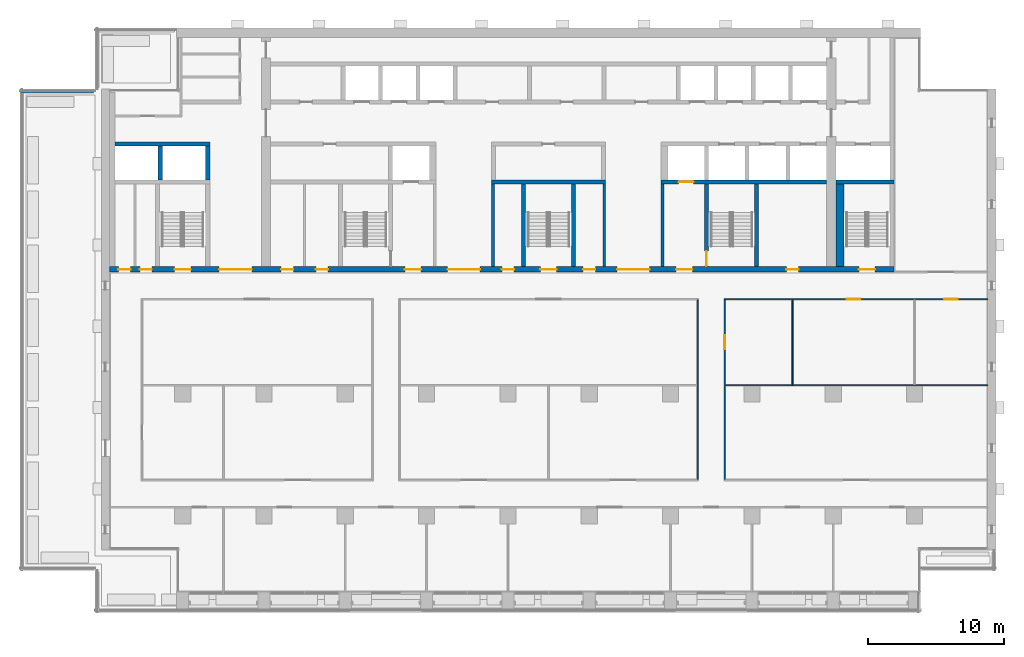
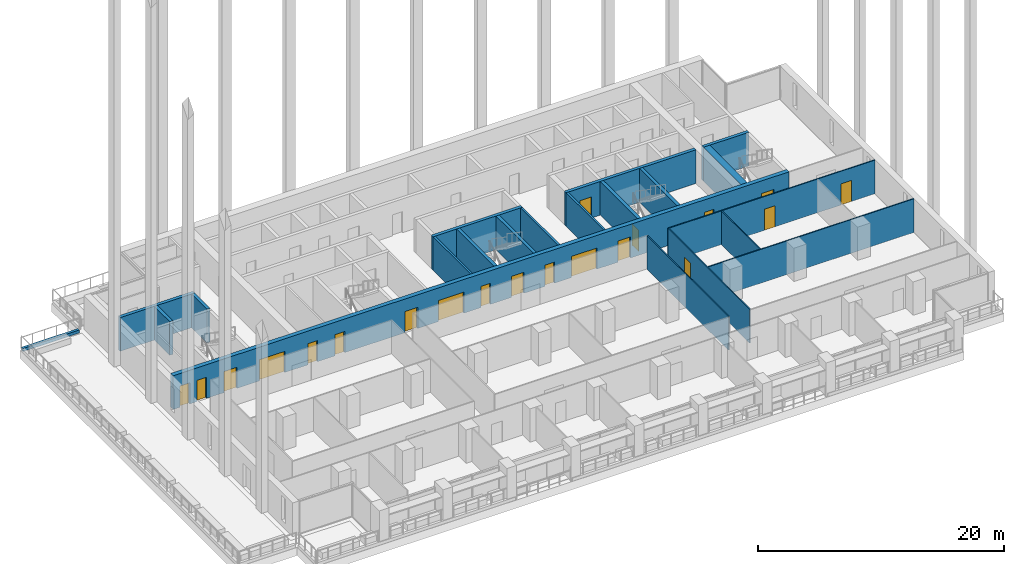
# One storey, part 10 of 19: 21 walls, 20 doors, 20 openings.
"""IFC4 building model written with IfcOpenShell, lengths in metres."""

from ifc_helpers import new_model, si_unit, direction, frame, frame_2d, origin, place, context, subcontext, project, spatial, rectangle, extrude, material, layer, layer_set, type_object, element, fill, save


model = new_model("IFC4")

# Units and contexts
model_context = context("Model", 3, precision=1e-05, world=origin(), true_north=direction((0.0, 1.0)))
body_context = subcontext(model_context, "Body", "Model", "MODEL_VIEW")
ifc_project = project(units=[si_unit("LENGTHUNIT", "METRE"), si_unit("AREAUNIT", "SQUARE_METRE"), si_unit("VOLUMEUNIT", "CUBIC_METRE"), si_unit("PLANEANGLEUNIT", "RADIAN"), si_unit("MASSUNIT", "GRAM", prefix="KILO")], contexts=[model_context])

# Site, building, storey
site_placement = place(None, origin())
site = spatial("IfcSite", under=ifc_project, at=site_placement, CompositionType="ELEMENT")
building_placement = place(site_placement, origin())
building = spatial("IfcBuilding", under=site, at=building_placement, Name="Calvaro Tower", CompositionType="ELEMENT")
storey_placement = place(building_placement, frame((0.0, 0.0, 166.75)))
storey = spatial("IfcBuildingStorey", under=building, at=storey_placement, Name="L41", CompositionType="ELEMENT", Elevation=166.75)

# Walls
ifc_material_1 = material(Name="Blockwork partition", Category="masonry")
ifc_layer_1 = layer(ifc_material_1, 0.199951171875)
ifc_layer_set_1 = layer_set([ifc_layer_1], Name="Blockwork partition")
wall_type_1 = type_object("IfcWallType", Name="Core partition 200 REI 120", PredefinedType="PARTITIONING", material=ifc_layer_set_1)
for number, where, z_axis, x_axis, name in (
    (1, (34.89990234375, 28.39990234375, 0.0), (0.0, 0.0, 1.0), (0.0, 1.0, 0.0), "Core partition"),
    (2, (43.10009765625, 28.39990234375, 0.0), (0.0, 0.0, 1.0), (0.0, 1.0, 0.0), "Core partition"),
    (3, (47.39990234375, 28.39990234375, 0.0), (0.0, 0.0, 1.0), (0.0, 1.0, 0.0), "Core partition"),
):
    element("IfcWall", number, at=place(storey_placement, frame(where, z_axis=z_axis, x_axis=x_axis)), inside=storey, type_object=wall_type_1, Name=name, PredefinedType="PARTITIONING", context=body_context, shape_type="SweptSolid", body=[
        extrude(rectangle(XDim=6.10009765625, YDim=0.199951171875, at=frame_2d((3.050048828125, 0.0))), origin(), (0.0, 0.0, 1.0), 3.35009765625),
    ])
ifc_material_2 = material(Name="Concrete C50/60", Category="concrete")
ifc_layer_2 = layer(ifc_material_2, 0.300048828125)
ifc_layer_set_2 = layer_set([ifc_layer_2], Name="Concrete C50/60")
wall_type_2 = type_object("IfcWallType", Name="Core wall C50/60 300", PredefinedType="SHEAR", material=ifc_layer_set_2)
for number, where, z_axis, x_axis, name in (
    (4, (37.14990234375, 28.39990234375, 0.0), (0.0, 0.0, 1.0), (0.0, 1.0, 0.0), "Core wall, stair enclosure"),
    (5, (40.85009765625, 28.39990234375, 0.0), (0.0, 0.0, 1.0), (0.0, 1.0, 0.0), "Core wall, stair enclosure"),
):
    element("IfcWall", number, at=place(storey_placement, frame(where, z_axis=z_axis, x_axis=x_axis)), inside=storey, type_object=wall_type_2, Name=name, PredefinedType="SHEAR", context=body_context, shape_type="SweptSolid", body=[
        extrude(rectangle(XDim=6.10009765625, YDim=0.300048828125, at=frame_2d((3.050048828125, 0.0))), origin(), (0.0, 0.0, 1.0), 3.35009765625),
    ])

# Wall, opening, door
wall_1_placement = place(storey_placement, frame((50.64990234375, 34.5, 0.0), z_axis=(0.0, 0.0, 1.0), x_axis=(0.0, -1.0, 0.0)))
wall_1 = element("IfcWall", 6, at=wall_1_placement, inside=storey, type_object=wall_type_2, Name="Core wall, stair enclosure", PredefinedType="SHEAR", context=body_context, shape_type="SweptSolid", body=[
    extrude(rectangle(XDim=6.10009765625, YDim=0.300048828125, at=frame_2d((3.050048828125, 0.0))), origin(), (0.0, 0.0, 1.0), 3.35009765625),
])
opening_1_placement = place(wall_1_placement, frame((4.949951171875, 0.0, 0.0)))
opening_1 = element("IfcOpeningElement", 7, at=opening_1_placement, cuts=wall_1, Name="Opening FD11D", PredefinedType="OPENING", context=body_context, shape_type="SweptSolid", body=[
    extrude(rectangle(XDim=1.10009765625, YDim=2.10009765625, at=frame_2d((0.550048828125, 1.050048828125))), frame((0.0, 0.159912109375, 0.0), z_axis=(0.0, -1.0, 0.0), x_axis=(1.0, 0.0, 0.0)), (0.0, 0.0, 1.0), 0.320068359375),
])
ifc_material_3 = material(Name="Steel door set", Category="steel")
door_type_1 = type_object("IfcDoorType", Name="Fire door 1100 FD30S", OperationType="SINGLE_SWING_LEFT", PredefinedType="DOOR", material=ifc_material_3)
door_1_placement = place(opening_1_placement, origin())
door_1 = element("IfcDoor", 8, at=door_1_placement, inside=storey, type_object=door_type_1, Name="Fire door", OperationType="SINGLE_SWING_RIGHT", OverallHeight=2.10009765625, OverallWidth=1.10009765625, PredefinedType="DOOR", context=body_context, shape_type="SweptSolid", body=[
    extrude(rectangle(XDim=1.10009765625, YDim=2.10009765625, at=frame_2d((0.550048828125, 1.050048828125))), frame((0.0, 0.02490234375, 0.0), z_axis=(0.0, -1.0, 0.0), x_axis=(1.0, 0.0, 0.0)), (0.0, 0.0, 1.0), 0.050048828125),
])
fill(opening_1, door_1)

# Walls
wall_2_placement = place(storey_placement, frame((54.35009765625, 28.39990234375, 0.0), z_axis=(0.0, 0.0, 1.0), x_axis=(0.0, 1.0, 0.0)))
element("IfcWall", 9, at=wall_2_placement, inside=storey, type_object=wall_type_2, Name="Core wall, stair enclosure", PredefinedType="SHEAR", context=body_context, shape_type="SweptSolid", body=[
    extrude(rectangle(XDim=6.10009765625, YDim=0.300048828125, at=frame_2d((3.050048828125, 0.0))), origin(), (0.0, 0.0, 1.0), 3.35009765625),
])
wall_3_placement = place(storey_placement, frame((34.800048828125, 34.64990234375, 0.0), z_axis=(0.0, 0.0, 1.0), x_axis=(1.0, 0.0, 0.0)))
element("IfcWall", 10, at=wall_3_placement, inside=storey, type_object=wall_type_2, Name="Core wall, lift shaft", PredefinedType="SHEAR", context=body_context, shape_type="SweptSolid", body=[
    extrude(rectangle(XDim=8.39990234375, YDim=0.300048828125, at=frame_2d((4.199951171875, 0.0))), origin(), (0.0, 0.0, 1.0), 3.35009765625),
])

# Wall, opening, door
wall_4_placement = place(storey_placement, frame((47.300048828125, 34.64990234375, 0.0), z_axis=(0.0, 0.0, 1.0), x_axis=(1.0, 0.0, 0.0)))
wall_4 = element("IfcWall", 11, at=wall_4_placement, inside=storey, type_object=wall_type_2, Name="Core wall, lift shaft", PredefinedType="SHEAR", context=body_context, shape_type="SweptSolid", body=[
    extrude(rectangle(XDim=12.199951171875, YDim=0.300048828125, at=frame_2d((6.10009765625, 0.0))), origin(), (0.0, 0.0, 1.0), 3.35009765625),
])
opening_2_placement = place(wall_4_placement, frame((1.300048828125, 0.0, 0.0)))
opening_2 = element("IfcOpeningElement", 12, at=opening_2_placement, cuts=wall_4, Name="Opening FF2", PredefinedType="OPENING", context=body_context, shape_type="SweptSolid", body=[
    extrude(rectangle(XDim=1.10009765625, YDim=2.10009765625, at=frame_2d((0.550048828125, 1.050048828125))), frame((0.0, 0.159912109375, 0.0), z_axis=(0.0, -1.0, 0.0), x_axis=(1.0, 0.0, 0.0)), (0.0, 0.0, 1.0), 0.320068359375),
])
ifc_material_4 = material(Name="Stainless steel", Category="steel")
door_type_2 = type_object("IfcDoorType", Name="Landing door 1100 E 60", OperationType="SLIDING_TO_LEFT", PredefinedType="DOOR", material=ifc_material_4)
door_2_placement = place(opening_2_placement, origin())
door_2 = element("IfcDoor", 13, at=door_2_placement, inside=storey, type_object=door_type_2, Name="Landing door FF2", OperationType="SLIDING_TO_LEFT", OverallHeight=2.10009765625, OverallWidth=1.10009765625, PredefinedType="DOOR", context=body_context, shape_type="SweptSolid", body=[
    extrude(rectangle(XDim=1.10009765625, YDim=2.10009765625, at=frame_2d((0.550048828125, 1.050048828125))), frame((0.0, 0.02490234375, 0.0), z_axis=(0.0, -1.0, 0.0), x_axis=(1.0, 0.0, 0.0)), (0.0, 0.0, 1.0), 0.050048828125),
])
fill(opening_2, door_2)

# Walls
wall_5_placement = place(storey_placement, frame((60.199951171875, 34.64990234375, 0.0), z_axis=(0.0, 0.0, 1.0), x_axis=(1.0, 0.0, 0.0)))
element("IfcWall", 14, at=wall_5_placement, inside=storey, type_object=wall_type_2, Name="Core wall, lift shaft", PredefinedType="SHEAR", context=body_context, shape_type="SweptSolid", body=[
    extrude(rectangle(XDim=4.300048828125, YDim=0.300048828125, at=frame_2d((2.14990234375, 0.0))), origin(), (0.0, 0.0, 1.0), 3.35009765625),
])
wall_6_placement = place(storey_placement, frame((7.0, 37.449951171875, 0.0), z_axis=(0.0, 0.0, 1.0), x_axis=(1.0, 0.0, 0.0)))
element("IfcWall", 15, at=wall_6_placement, inside=storey, type_object=wall_type_2, Name="Core wall, lift shaft", PredefinedType="SHEAR", context=body_context, shape_type="SweptSolid", body=[
    extrude(rectangle(XDim=7.0, YDim=0.300048828125, at=frame_2d((3.5, 0.0))), origin(), (0.0, 0.0, 1.0), 3.35009765625),
])
for number, where, z_axis, x_axis, name in (
    (16, (13.85009765625, 34.800048828125, 0.0), (0.0, 0.0, 1.0), (0.0, 1.0, 0.0), "Core wall, lift shaft"),
    (17, (10.35009765625, 34.800048828125, 0.0), (0.0, 0.0, 1.0), (0.0, 1.0, 0.0), "Core wall, lift shaft"),
):
    element("IfcWall", number, at=place(storey_placement, frame(where, z_axis=z_axis, x_axis=x_axis)), inside=storey, type_object=wall_type_2, Name=name, PredefinedType="SHEAR", context=body_context, shape_type="SweptSolid", body=[
        extrude(rectangle(XDim=2.5, YDim=0.300048828125, at=frame_2d((1.25, 0.0))), origin(), (0.0, 0.0, 1.0), 3.35009765625),
    ])

# Wall, openings, doors
ifc_material_5 = material(Name="Concrete C50/60", Category="concrete")
ifc_layer_3 = layer(ifc_material_5, 0.39990234375)
ifc_layer_set_3 = layer_set([ifc_layer_3], Name="Concrete C50/60")
wall_type_3 = type_object("IfcWallType", Name="Core wall C50/60 400", PredefinedType="SHEAR", material=ifc_layer_set_3)
wall_7_placement = place(storey_placement, frame((6.60009765625, 28.199951171875, 0.0), z_axis=(0.0, 0.0, 1.0), x_axis=(1.0, 0.0, 0.0)))
wall_7 = element("IfcWall", 18, at=wall_7_placement, inside=storey, type_object=wall_type_3, Name="Core wall, front", PredefinedType="SHEAR", context=body_context, shape_type="SweptSolid", body=[
    extrude(rectangle(XDim=57.89990234375, YDim=0.39990234375, at=frame_2d((28.949951171875, 0.0))), origin(), (0.0, 0.0, 1.0), 3.35009765625),
])
opening_3_placement = place(wall_7_placement, frame((12.66259765625, 0.0, 0.0)))
opening_3 = element("IfcOpeningElement", 19, at=opening_3_placement, cuts=wall_7, Name="Opening RD9E", PredefinedType="OPENING", context=body_context, shape_type="SweptSolid", body=[
    extrude(rectangle(XDim=0.89990234375, YDim=2.10009765625, at=frame_2d((0.449951171875, 1.050048828125))), frame((0.0, 0.2099609375, 0.0), z_axis=(0.0, -1.0, 0.0), x_axis=(1.0, 0.0, 0.0)), (0.0, 0.0, 1.0), 0.419921875),
])
opening_4_placement = place(wall_7_placement, frame((15.237548828125, 0.0, 0.0)))
opening_4 = element("IfcOpeningElement", 20, at=opening_4_placement, cuts=wall_7, Name="Opening RD9C", PredefinedType="OPENING", context=body_context, shape_type="SweptSolid", body=[
    extrude(rectangle(XDim=0.89990234375, YDim=2.10009765625, at=frame_2d((0.449951171875, 1.050048828125))), frame((0.0, 0.2099609375, 0.0), z_axis=(0.0, -1.0, 0.0), x_axis=(1.0, 0.0, 0.0)), (0.0, 0.0, 1.0), 0.419921875),
])
opening_5_placement = place(wall_7_placement, frame((49.949951171875, 0.0, 0.0)))
opening_5 = element("IfcOpeningElement", 21, at=opening_5_placement, cuts=wall_7, Name="Opening RD9E", PredefinedType="OPENING", context=body_context, shape_type="SweptSolid", body=[
    extrude(rectangle(XDim=0.89990234375, YDim=2.10009765625, at=frame_2d((0.449951171875, 1.050048828125))), frame((0.0, 0.2099609375, 0.0), z_axis=(0.0, -1.0, 0.0), x_axis=(1.0, 0.0, 0.0)), (0.0, 0.0, 1.0), 0.419921875),
])
opening_6_placement = place(wall_7_placement, frame((0.66259765625, 0.0, 0.0)))
opening_6 = element("IfcOpeningElement", 22, at=opening_6_placement, cuts=wall_7, Name="Opening RD9C", PredefinedType="OPENING", context=body_context, shape_type="SweptSolid", body=[
    extrude(rectangle(XDim=0.89990234375, YDim=2.10009765625, at=frame_2d((0.449951171875, 1.050048828125))), frame((0.0, 0.2099609375, 0.0), z_axis=(0.0, -1.0, 0.0), x_axis=(1.0, 0.0, 0.0)), (0.0, 0.0, 1.0), 0.419921875),
])
opening_7_placement = place(wall_7_placement, frame((2.237548828125, 0.0, 0.0)))
opening_7 = element("IfcOpeningElement", 23, at=opening_7_placement, cuts=wall_7, Name="Opening RD9E", PredefinedType="OPENING", context=body_context, shape_type="SweptSolid", body=[
    extrude(rectangle(XDim=0.89990234375, YDim=2.10009765625, at=frame_2d((0.449951171875, 1.050048828125))), frame((0.0, 0.2099609375, 0.0), z_axis=(0.0, -1.0, 0.0), x_axis=(1.0, 0.0, 0.0)), (0.0, 0.0, 1.0), 0.419921875),
])
opening_8_placement = place(wall_7_placement, frame((4.800048828125, 0.0, 0.0)))
opening_8 = element("IfcOpeningElement", 24, at=opening_8_placement, cuts=wall_7, Name="Opening SD12D", PredefinedType="OPENING", context=body_context, shape_type="SweptSolid", body=[
    extrude(rectangle(XDim=1.199951171875, YDim=2.10009765625, at=frame_2d((0.60009765625, 1.050048828125))), frame((0.0, 0.2099609375, 0.0), z_axis=(0.0, -1.0, 0.0), x_axis=(1.0, 0.0, 0.0)), (0.0, 0.0, 1.0), 0.419921875),
])
opening_9_placement = place(wall_7_placement, frame((31.800048828125, 0.0, 0.0)))
opening_9 = element("IfcOpeningElement", 25, at=opening_9_placement, cuts=wall_7, Name="Opening SD12D", PredefinedType="OPENING", context=body_context, shape_type="SweptSolid", body=[
    extrude(rectangle(XDim=1.199951171875, YDim=2.10009765625, at=frame_2d((0.60009765625, 1.050048828125))), frame((0.0, 0.2099609375, 0.0), z_axis=(0.0, -1.0, 0.0), x_axis=(1.0, 0.0, 0.0)), (0.0, 0.0, 1.0), 0.419921875),
])
opening_10_placement = place(wall_7_placement, frame((55.300048828125, 0.0, 0.0)))
opening_10 = element("IfcOpeningElement", 26, at=opening_10_placement, cuts=wall_7, Name="Opening SD12D", PredefinedType="OPENING", context=body_context, shape_type="SweptSolid", body=[
    extrude(rectangle(XDim=1.199951171875, YDim=2.10009765625, at=frame_2d((0.60009765625, 1.050048828125))), frame((0.0, 0.2099609375, 0.0), z_axis=(0.0, -1.0, 0.0), x_axis=(1.0, 0.0, 0.0)), (0.0, 0.0, 1.0), 0.419921875),
])
opening_11_placement = place(wall_7_placement, frame((21.800048828125, 0.0, 0.0)))
opening_11 = element("IfcOpeningElement", 27, at=opening_11_placement, cuts=wall_7, Name="Opening FD12F", PredefinedType="OPENING", context=body_context, shape_type="SweptSolid", body=[
    extrude(rectangle(XDim=1.199951171875, YDim=2.10009765625, at=frame_2d((0.60009765625, 1.050048828125))), frame((0.0, 0.2099609375, 0.0), z_axis=(0.0, -1.0, 0.0), x_axis=(1.0, 0.0, 0.0)), (0.0, 0.0, 1.0), 0.419921875),
])
opening_12_placement = place(wall_7_placement, frame((41.800048828125, 0.0, 0.0)))
opening_12 = element("IfcOpeningElement", 28, at=opening_12_placement, cuts=wall_7, Name="Opening FD12F", PredefinedType="OPENING", context=body_context, shape_type="SweptSolid", body=[
    extrude(rectangle(XDim=1.199951171875, YDim=2.10009765625, at=frame_2d((0.60009765625, 1.050048828125))), frame((0.0, 0.2099609375, 0.0), z_axis=(0.0, -1.0, 0.0), x_axis=(1.0, 0.0, 0.0)), (0.0, 0.0, 1.0), 0.419921875),
])
opening_13_placement = place(wall_7_placement, frame((24.949951171875, 0.0, 0.0)))
opening_13 = element("IfcOpeningElement", 29, at=opening_13_placement, cuts=wall_7, Name="Opening DD24D", PredefinedType="OPENING", context=body_context, shape_type="SweptSolid", body=[
    extrude(rectangle(XDim=2.39990234375, YDim=2.10009765625, at=frame_2d((1.199951171875, 1.050048828125))), frame((0.0, 0.2099609375, 0.0), z_axis=(0.0, -1.0, 0.0), x_axis=(1.0, 0.0, 0.0)), (0.0, 0.0, 1.0), 0.419921875),
])
opening_14_placement = place(wall_7_placement, frame((37.449951171875, 0.0, 0.0)))
opening_14 = element("IfcOpeningElement", 30, at=opening_14_placement, cuts=wall_7, Name="Opening DD24D", PredefinedType="OPENING", context=body_context, shape_type="SweptSolid", body=[
    extrude(rectangle(XDim=2.39990234375, YDim=2.10009765625, at=frame_2d((1.199951171875, 1.050048828125))), frame((0.0, 0.2099609375, 0.0), z_axis=(0.0, -1.0, 0.0), x_axis=(1.0, 0.0, 0.0)), (0.0, 0.0, 1.0), 0.419921875),
])
opening_15_placement = place(wall_7_placement, frame((8.10009765625, 0.0, 0.0)))
opening_15 = element("IfcOpeningElement", 31, at=opening_15_placement, cuts=wall_7, Name="Opening DD24D", PredefinedType="OPENING", context=body_context, shape_type="SweptSolid", body=[
    extrude(rectangle(XDim=2.39990234375, YDim=2.10009765625, at=frame_2d((1.199951171875, 1.050048828125))), frame((0.0, 0.2099609375, 0.0), z_axis=(0.0, -1.0, 0.0), x_axis=(1.0, 0.0, 0.0)), (0.0, 0.0, 1.0), 0.419921875),
])
opening_16_placement = place(wall_7_placement, frame((28.949951171875, 0.0, 0.0)))
opening_16 = element("IfcOpeningElement", 32, at=opening_16_placement, cuts=wall_7, Name="Opening RD9E", PredefinedType="OPENING", context=body_context, shape_type="SweptSolid", body=[
    extrude(rectangle(XDim=0.89990234375, YDim=2.10009765625, at=frame_2d((0.449951171875, 1.050048828125))), frame((0.0, 0.2099609375, 0.0), z_axis=(0.0, -1.0, 0.0), x_axis=(1.0, 0.0, 0.0)), (0.0, 0.0, 1.0), 0.419921875),
])
opening_17_placement = place(wall_7_placement, frame((34.949951171875, 0.0, 0.0)))
opening_17 = element("IfcOpeningElement", 33, at=opening_17_placement, cuts=wall_7, Name="Opening RD9E", PredefinedType="OPENING", context=body_context, shape_type="SweptSolid", body=[
    extrude(rectangle(XDim=0.89990234375, YDim=2.10009765625, at=frame_2d((0.449951171875, 1.050048828125))), frame((0.0, 0.2099609375, 0.0), z_axis=(0.0, -1.0, 0.0), x_axis=(1.0, 0.0, 0.0)), (0.0, 0.0, 1.0), 0.419921875),
])
ifc_material_6 = material(Name="Steel door set", Category="steel")
door_type_3 = type_object("IfcDoorType", Name="Fire door 1200 FD60S", OperationType="SINGLE_SWING_LEFT", PredefinedType="DOOR", material=ifc_material_6)
door_3_placement = place(opening_11_placement, origin())
door_3 = element("IfcDoor", 34, at=door_3_placement, inside=storey, type_object=door_type_3, Name="Fire door", OperationType="SINGLE_SWING_LEFT", OverallHeight=2.10009765625, OverallWidth=1.199951171875, PredefinedType="DOOR", context=body_context, shape_type="SweptSolid", body=[
    extrude(rectangle(XDim=1.199951171875, YDim=2.10009765625, at=frame_2d((0.60009765625, 1.050048828125))), frame((0.0, 0.02490234375, 0.0), z_axis=(0.0, -1.0, 0.0), x_axis=(1.0, 0.0, 0.0)), (0.0, 0.0, 1.0), 0.050048828125),
])
fill(opening_11, door_3)
door_4_placement = place(opening_12_placement, origin())
door_4 = element("IfcDoor", 35, at=door_4_placement, inside=storey, type_object=door_type_3, Name="Fire door", OperationType="SINGLE_SWING_LEFT", OverallHeight=2.10009765625, OverallWidth=1.199951171875, PredefinedType="DOOR", context=body_context, shape_type="SweptSolid", body=[
    extrude(rectangle(XDim=1.199951171875, YDim=2.10009765625, at=frame_2d((0.60009765625, 1.050048828125))), frame((0.0, 0.02490234375, 0.0), z_axis=(0.0, -1.0, 0.0), x_axis=(1.0, 0.0, 0.0)), (0.0, 0.0, 1.0), 0.050048828125),
])
fill(opening_12, door_4)
ifc_material_7 = material(Name="Steel door set", Category="steel")
door_type_4 = type_object("IfcDoorType", Name="Lobby double door 2400 FD30S", OperationType="DOUBLE_DOOR_SINGLE_SWING", PredefinedType="DOOR", material=ifc_material_7)
door_5_placement = place(opening_13_placement, origin())
door_5 = element("IfcDoor", 36, at=door_5_placement, inside=storey, type_object=door_type_4, Name="Lobby double door", OperationType="DOUBLE_DOOR_SINGLE_SWING", OverallHeight=2.10009765625, OverallWidth=2.39990234375, PredefinedType="DOOR", context=body_context, shape_type="SweptSolid", body=[
    extrude(rectangle(XDim=2.39990234375, YDim=2.10009765625, at=frame_2d((1.199951171875, 1.050048828125))), frame((0.0, 0.02490234375, 0.0), z_axis=(0.0, -1.0, 0.0), x_axis=(1.0, 0.0, 0.0)), (0.0, 0.0, 1.0), 0.050048828125),
])
fill(opening_13, door_5)
door_6_placement = place(opening_14_placement, origin())
door_6 = element("IfcDoor", 37, at=door_6_placement, inside=storey, type_object=door_type_4, Name="Lobby double door", OperationType="DOUBLE_DOOR_SINGLE_SWING", OverallHeight=2.10009765625, OverallWidth=2.39990234375, PredefinedType="DOOR", context=body_context, shape_type="SweptSolid", body=[
    extrude(rectangle(XDim=2.39990234375, YDim=2.10009765625, at=frame_2d((1.199951171875, 1.050048828125))), frame((0.0, 0.02490234375, 0.0), z_axis=(0.0, -1.0, 0.0), x_axis=(1.0, 0.0, 0.0)), (0.0, 0.0, 1.0), 0.050048828125),
])
fill(opening_14, door_6)
door_7_placement = place(opening_15_placement, origin())
door_7 = element("IfcDoor", 38, at=door_7_placement, inside=storey, type_object=door_type_4, Name="Lobby double door", OperationType="DOUBLE_DOOR_SINGLE_SWING", OverallHeight=2.10009765625, OverallWidth=2.39990234375, PredefinedType="DOOR", context=body_context, shape_type="SweptSolid", body=[
    extrude(rectangle(XDim=2.39990234375, YDim=2.10009765625, at=frame_2d((1.199951171875, 1.050048828125))), frame((0.0, 0.02490234375, 0.0), z_axis=(0.0, -1.0, 0.0), x_axis=(1.0, 0.0, 0.0)), (0.0, 0.0, 1.0), 0.050048828125),
])
fill(opening_15, door_7)
ifc_material_8 = material(Name="Steel door set", Category="steel")
door_type_5 = type_object("IfcDoorType", Name="Room door 900 FD30", OperationType="SINGLE_SWING_LEFT", PredefinedType="DOOR", material=ifc_material_8)
door_8_placement = place(opening_4_placement, origin())
door_8 = element("IfcDoor", 39, at=door_8_placement, inside=storey, type_object=door_type_5, Name="Room door", OperationType="SINGLE_SWING_RIGHT", OverallHeight=2.10009765625, OverallWidth=0.89990234375, PredefinedType="DOOR", context=body_context, shape_type="SweptSolid", body=[
    extrude(rectangle(XDim=0.89990234375, YDim=2.10009765625, at=frame_2d((0.449951171875, 1.050048828125))), frame((0.0, 0.02490234375, 0.0), z_axis=(0.0, -1.0, 0.0), x_axis=(1.0, 0.0, 0.0)), (0.0, 0.0, 1.0), 0.050048828125),
])
fill(opening_4, door_8)
door_9_placement = place(opening_6_placement, origin())
door_9 = element("IfcDoor", 40, at=door_9_placement, inside=storey, type_object=door_type_5, Name="Room door", OperationType="SINGLE_SWING_LEFT", OverallHeight=2.10009765625, OverallWidth=0.89990234375, PredefinedType="DOOR", context=body_context, shape_type="SweptSolid", body=[
    extrude(rectangle(XDim=0.89990234375, YDim=2.10009765625, at=frame_2d((0.449951171875, 1.050048828125))), frame((0.0, 0.02490234375, 0.0), z_axis=(0.0, -1.0, 0.0), x_axis=(1.0, 0.0, 0.0)), (0.0, 0.0, 1.0), 0.050048828125),
])
fill(opening_6, door_9)
ifc_material_9 = material(Name="Steel door set", Category="steel")
door_type_6 = type_object("IfcDoorType", Name="Room door 900 FD60", OperationType="SINGLE_SWING_LEFT", PredefinedType="DOOR", material=ifc_material_9)
door_10_placement = place(opening_3_placement, origin())
door_10 = element("IfcDoor", 41, at=door_10_placement, inside=storey, type_object=door_type_6, Name="Room door", OperationType="SINGLE_SWING_LEFT", OverallHeight=2.10009765625, OverallWidth=0.89990234375, PredefinedType="DOOR", context=body_context, shape_type="SweptSolid", body=[
    extrude(rectangle(XDim=0.89990234375, YDim=2.10009765625, at=frame_2d((0.449951171875, 1.050048828125))), frame((0.0, 0.02490234375, 0.0), z_axis=(0.0, -1.0, 0.0), x_axis=(1.0, 0.0, 0.0)), (0.0, 0.0, 1.0), 0.050048828125),
])
fill(opening_3, door_10)
door_11_placement = place(opening_5_placement, origin())
door_11 = element("IfcDoor", 42, at=door_11_placement, inside=storey, type_object=door_type_6, Name="Room door", OperationType="SINGLE_SWING_LEFT", OverallHeight=2.10009765625, OverallWidth=0.89990234375, PredefinedType="DOOR", context=body_context, shape_type="SweptSolid", body=[
    extrude(rectangle(XDim=0.89990234375, YDim=2.10009765625, at=frame_2d((0.449951171875, 1.050048828125))), frame((0.0, 0.02490234375, 0.0), z_axis=(0.0, -1.0, 0.0), x_axis=(1.0, 0.0, 0.0)), (0.0, 0.0, 1.0), 0.050048828125),
])
fill(opening_5, door_11)
door_12_placement = place(opening_7_placement, origin())
door_12 = element("IfcDoor", 43, at=door_12_placement, inside=storey, type_object=door_type_6, Name="Room door", OperationType="SINGLE_SWING_LEFT", OverallHeight=2.10009765625, OverallWidth=0.89990234375, PredefinedType="DOOR", context=body_context, shape_type="SweptSolid", body=[
    extrude(rectangle(XDim=0.89990234375, YDim=2.10009765625, at=frame_2d((0.449951171875, 1.050048828125))), frame((0.0, 0.02490234375, 0.0), z_axis=(0.0, -1.0, 0.0), x_axis=(1.0, 0.0, 0.0)), (0.0, 0.0, 1.0), 0.050048828125),
])
fill(opening_7, door_12)
door_13_placement = place(opening_16_placement, origin())
door_13 = element("IfcDoor", 44, at=door_13_placement, inside=storey, type_object=door_type_6, Name="Room door", OperationType="SINGLE_SWING_LEFT", OverallHeight=2.10009765625, OverallWidth=0.89990234375, PredefinedType="DOOR", context=body_context, shape_type="SweptSolid", body=[
    extrude(rectangle(XDim=0.89990234375, YDim=2.10009765625, at=frame_2d((0.449951171875, 1.050048828125))), frame((0.0, 0.02490234375, 0.0), z_axis=(0.0, -1.0, 0.0), x_axis=(1.0, 0.0, 0.0)), (0.0, 0.0, 1.0), 0.050048828125),
])
fill(opening_16, door_13)
door_14_placement = place(opening_17_placement, origin())
door_14 = element("IfcDoor", 45, at=door_14_placement, inside=storey, type_object=door_type_6, Name="Room door", OperationType="SINGLE_SWING_LEFT", OverallHeight=2.10009765625, OverallWidth=0.89990234375, PredefinedType="DOOR", context=body_context, shape_type="SweptSolid", body=[
    extrude(rectangle(XDim=0.89990234375, YDim=2.10009765625, at=frame_2d((0.449951171875, 1.050048828125))), frame((0.0, 0.02490234375, 0.0), z_axis=(0.0, -1.0, 0.0), x_axis=(1.0, 0.0, 0.0)), (0.0, 0.0, 1.0), 0.050048828125),
])
fill(opening_17, door_14)
ifc_material_10 = material(Name="Steel door set", Category="steel")
door_type_7 = type_object("IfcDoorType", Name="Stair door 1200 FD30S", OperationType="SINGLE_SWING_LEFT", PredefinedType="DOOR", material=ifc_material_10)
door_15_placement = place(opening_8_placement, origin())
door_15 = element("IfcDoor", 46, at=door_15_placement, inside=storey, type_object=door_type_7, Name="Stair door", OperationType="SINGLE_SWING_LEFT", OverallHeight=2.10009765625, OverallWidth=1.199951171875, PredefinedType="DOOR", context=body_context, shape_type="SweptSolid", body=[
    extrude(rectangle(XDim=1.199951171875, YDim=2.10009765625, at=frame_2d((0.60009765625, 1.050048828125))), frame((0.0, 0.02490234375, 0.0), z_axis=(0.0, -1.0, 0.0), x_axis=(1.0, 0.0, 0.0)), (0.0, 0.0, 1.0), 0.050048828125),
])
fill(opening_8, door_15)
door_16_placement = place(opening_9_placement, origin())
door_16 = element("IfcDoor", 47, at=door_16_placement, inside=storey, type_object=door_type_7, Name="Stair door", OperationType="SINGLE_SWING_LEFT", OverallHeight=2.10009765625, OverallWidth=1.199951171875, PredefinedType="DOOR", context=body_context, shape_type="SweptSolid", body=[
    extrude(rectangle(XDim=1.199951171875, YDim=2.10009765625, at=frame_2d((0.60009765625, 1.050048828125))), frame((0.0, 0.02490234375, 0.0), z_axis=(0.0, -1.0, 0.0), x_axis=(1.0, 0.0, 0.0)), (0.0, 0.0, 1.0), 0.050048828125),
])
fill(opening_9, door_16)
door_17_placement = place(opening_10_placement, origin())
door_17 = element("IfcDoor", 48, at=door_17_placement, inside=storey, type_object=door_type_7, Name="Stair door", OperationType="SINGLE_SWING_LEFT", OverallHeight=2.10009765625, OverallWidth=1.199951171875, PredefinedType="DOOR", context=body_context, shape_type="SweptSolid", body=[
    extrude(rectangle(XDim=1.199951171875, YDim=2.10009765625, at=frame_2d((0.60009765625, 1.050048828125))), frame((0.0, 0.02490234375, 0.0), z_axis=(0.0, -1.0, 0.0), x_axis=(1.0, 0.0, 0.0)), (0.0, 0.0, 1.0), 0.050048828125),
])
fill(opening_10, door_17)

# Walls
ifc_material_11 = material(Name="Concrete C50/60", Category="concrete")
ifc_layer_4 = layer(ifc_material_11, 0.60009765625)
ifc_layer_set_4 = layer_set([ifc_layer_4], Name="Concrete C50/60")
wall_type_4 = type_object("IfcWallType", Name="Core wall C50/60 600", PredefinedType="SHEAR", material=ifc_layer_set_4)
wall_8_placement = place(storey_placement, frame((60.5, 28.39990234375, 0.0), z_axis=(0.0, 0.0, 1.0), x_axis=(0.0, 1.0, 0.0)))
element("IfcWall", 49, at=wall_8_placement, inside=storey, type_object=wall_type_4, Name="Core wall, stair enclosure", PredefinedType="SHEAR", context=body_context, shape_type="SweptSolid", body=[
    extrude(rectangle(XDim=6.10009765625, YDim=0.60009765625, at=frame_2d((3.050048828125, 0.0))), origin(), (0.0, 0.0, 1.0), 3.35009765625),
])
ifc_material_12 = material(Name="Plasterboard on steel studs", Category="steel")
ifc_layer_5 = layer(ifc_material_12, 0.10009765625)
ifc_layer_set_5 = layer_set([ifc_layer_5], Name="Plasterboard on steel studs")
wall_type_5 = type_object("IfcWallType", Name="Partition 100", PredefinedType="PARTITIONING", material=ifc_layer_set_5)
wall_9_placement = place(storey_placement, frame((52.050048828125, 19.64990234375, 0.0), z_axis=(0.0, 0.0, 1.0), x_axis=(1.0, 0.0, 0.0)))
element("IfcWall", 50, at=wall_9_placement, inside=storey, type_object=wall_type_5, Name="Partition T42.W007", PredefinedType="PARTITIONING", context=body_context, shape_type="SweptSolid", body=[
    extrude(rectangle(XDim=19.349853515625, YDim=0.10009765625, at=frame_2d((9.6748046875, 0.0))), origin(), (0.0, 0.0, 1.0), 3.35009765625),
])

# Wall, openings, doors
wall_10_placement = place(storey_placement, frame((51.949951171875, 26.0, 0.0), z_axis=(0.0, 0.0, 1.0), x_axis=(1.0, 0.0, 0.0)))
wall_10 = element("IfcWall", 51, at=wall_10_placement, inside=storey, type_object=wall_type_5, Name="Partition T42.W010", PredefinedType="PARTITIONING", context=body_context, shape_type="SweptSolid", body=[
    extrude(rectangle(XDim=19.449951171875, YDim=0.10009765625, at=frame_2d((9.72509765625, 0.0))), origin(), (0.0, 0.0, 1.0), 3.35009765625),
])
opening_18_placement = place(wall_10_placement, frame((9.050048828125, 0.0, 0.0)))
opening_18 = element("IfcOpeningElement", 52, at=opening_18_placement, cuts=wall_10, Name="Opening T42.017", PredefinedType="OPENING", context=body_context, shape_type="SweptSolid", body=[
    extrude(rectangle(XDim=1.0, YDim=2.10009765625, at=frame_2d((0.5, 1.050048828125))), frame((0.0, 0.06005859375, 0.0), z_axis=(0.0, -1.0, 0.0), x_axis=(1.0, 0.0, 0.0)), (0.0, 0.0, 1.0), 0.1201171875),
])
opening_19_placement = place(wall_10_placement, frame((16.25, 0.0, 0.0)))
opening_19 = element("IfcOpeningElement", 53, at=opening_19_placement, cuts=wall_10, Name="Opening T42.018", PredefinedType="OPENING", context=body_context, shape_type="SweptSolid", body=[
    extrude(rectangle(XDim=1.0, YDim=2.10009765625, at=frame_2d((0.5, 1.050048828125))), frame((0.0, 0.06005859375, 0.0), z_axis=(0.0, -1.0, 0.0), x_axis=(1.0, 0.0, 0.0)), (0.0, 0.0, 1.0), 0.1201171875),
])
ifc_material_13 = material(Name="Timber", Category="wood")
door_type_8 = type_object("IfcDoorType", Name="Internal single door 1000 x 2100", OperationType="SINGLE_SWING_LEFT", PredefinedType="DOOR", material=ifc_material_13)
door_18_placement = place(opening_18_placement, origin())
door_18 = element("IfcDoor", 54, at=door_18_placement, inside=storey, type_object=door_type_8, Name="Door T42.017", OperationType="SINGLE_SWING_LEFT", OverallHeight=2.10009765625, OverallWidth=1.0, PredefinedType="DOOR", context=body_context, shape_type="SweptSolid", body=[
    extrude(rectangle(XDim=1.0, YDim=2.10009765625, at=frame_2d((0.5, 1.050048828125))), frame((0.0, 0.02490234375, 0.0), z_axis=(0.0, -1.0, 0.0), x_axis=(1.0, 0.0, 0.0)), (0.0, 0.0, 1.0), 0.050048828125),
])
fill(opening_18, door_18)
door_19_placement = place(opening_19_placement, origin())
door_19 = element("IfcDoor", 55, at=door_19_placement, inside=storey, type_object=door_type_8, Name="Door T42.018", OperationType="SINGLE_SWING_RIGHT", OverallHeight=2.10009765625, OverallWidth=1.0, PredefinedType="DOOR", context=body_context, shape_type="SweptSolid", body=[
    extrude(rectangle(XDim=1.0, YDim=2.10009765625, at=frame_2d((0.5, 1.050048828125))), frame((0.0, 0.02490234375, 0.0), z_axis=(0.0, -1.0, 0.0), x_axis=(1.0, 0.0, 0.0)), (0.0, 0.0, 1.0), 0.050048828125),
])
fill(opening_19, door_19)

# Wall
wall_11_placement = place(storey_placement, frame((50.0, 12.699951171875, 0.0), z_axis=(0.0, 0.0, 1.0), x_axis=(0.0, 1.0, 0.0)))
element("IfcWall", 56, at=wall_11_placement, inside=storey, type_object=wall_type_5, Name="Partition T42.W022", PredefinedType="PARTITIONING", context=body_context, shape_type="SweptSolid", body=[
    extrude(rectangle(XDim=13.25, YDim=0.10009765625, at=frame_2d((6.625, 0.0))), origin(), (0.0, 0.0, 1.0), 3.35009765625),
])

# Wall, opening, door
wall_12_placement = place(storey_placement, frame((52.0, 12.699951171875, 0.0), z_axis=(0.0, 0.0, 1.0), x_axis=(0.0, 1.0, 0.0)))
wall_12 = element("IfcWall", 57, at=wall_12_placement, inside=storey, type_object=wall_type_5, Name="Partition T42.W023", PredefinedType="PARTITIONING", context=body_context, shape_type="SweptSolid", body=[
    extrude(rectangle(XDim=13.25, YDim=0.10009765625, at=frame_2d((6.625, 0.0))), origin(), (0.0, 0.0, 1.0), 3.35009765625),
])
opening_20_placement = place(wall_12_placement, frame((9.625, 0.0, 0.0)))
opening_20 = element("IfcOpeningElement", 58, at=opening_20_placement, cuts=wall_12, Name="Opening T42.016", PredefinedType="OPENING", context=body_context, shape_type="SweptSolid", body=[
    extrude(rectangle(XDim=1.0, YDim=2.10009765625, at=frame_2d((0.5, 1.050048828125))), frame((0.0, 0.06005859375, 0.0), z_axis=(0.0, -1.0, 0.0), x_axis=(1.0, 0.0, 0.0)), (0.0, 0.0, 1.0), 0.1201171875),
])
door_20_placement = place(opening_20_placement, origin())
door_20 = element("IfcDoor", 59, at=door_20_placement, inside=storey, type_object=door_type_8, Name="Door T42.016", OperationType="SINGLE_SWING_RIGHT", OverallHeight=2.10009765625, OverallWidth=1.0, PredefinedType="DOOR", context=body_context, shape_type="SweptSolid", body=[
    extrude(rectangle(XDim=1.0, YDim=2.10009765625, at=frame_2d((0.5, 1.050048828125))), frame((0.0, 0.02490234375, 0.0), z_axis=(0.0, -1.0, 0.0), x_axis=(1.0, 0.0, 0.0)), (0.0, 0.0, 1.0), 0.050048828125),
])
fill(opening_20, door_20)

# Walls
wall_13_placement = place(storey_placement, frame((57.0, 19.699951171875, 0.0), z_axis=(0.0, 0.0, 1.0), x_axis=(0.0, 1.0, 0.0)))
element("IfcWall", 60, at=wall_13_placement, inside=storey, type_object=wall_type_5, Name="Partition T42.W025", PredefinedType="PARTITIONING", context=body_context, shape_type="SweptSolid", body=[
    extrude(rectangle(XDim=6.25, YDim=0.10009765625, at=frame_2d((3.125, 0.0))), origin(), (0.0, 0.0, 1.0), 3.35009765625),
])
ifc_material_14 = material(Name="Concrete C40/50", Category="concrete")
ifc_layer_6 = layer(ifc_material_14, 0.199951171875, Name="Structure")
ifc_material_15 = material(Name="Reconstituted stone coping")
ifc_layer_7 = layer(ifc_material_15, 0.050048828125, Name="Finish")
ifc_layer_set_6 = layer_set([ifc_layer_6, ifc_layer_7], Name="Concrete C40/50")
wall_type_6 = type_object("IfcWallType", Name="Terrace edge kerb 250", PredefinedType="PARAPET", material=ifc_layer_set_6)
wall_14_placement = place(storey_placement, frame((0.125, 41.35009765625, 0.0), z_axis=(0.0, 0.0, 1.0), x_axis=(1.0, 0.0, 0.0)))
element("IfcWall", 61, at=wall_14_placement, inside=storey, type_object=wall_type_6, Name="Terrace edge kerb", PredefinedType="PARAPET", context=body_context, shape_type="SweptSolid", body=[
    extrude(rectangle(XDim=5.300048828125, YDim=0.25, at=frame_2d((2.64990234375, 0.0))), origin(), (0.0, 0.0, 1.0), 0.300048828125),
])

save(model, "model.ifc")
